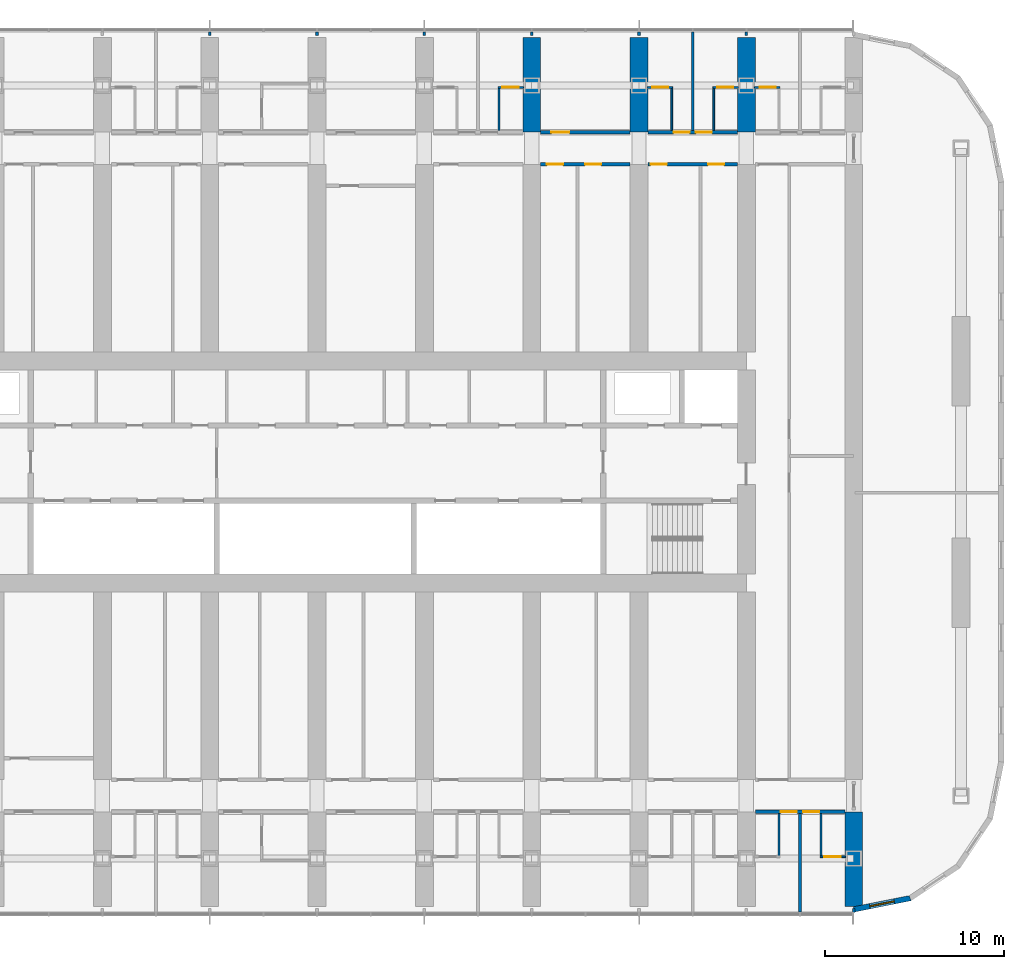
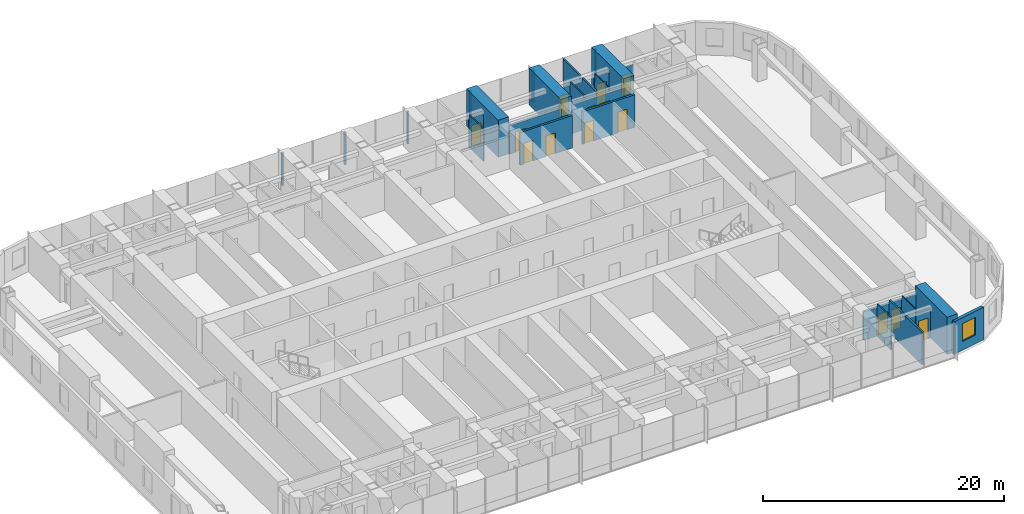
# One storey, part 17 of 24: 29 walls, 14 doors, 1 window, 15 openings.
"""IFC4 building model written with IfcOpenShell, lengths in metres."""

from ifc_helpers import new_model, si_unit, direction, frame, frame_2d, origin, place, context, subcontext, project, spatial, polyline, rectangle, outline, extrude, material, layer, layer_set, type_object, element, fill, save


model = new_model("IFC4")

# Units and contexts
model_context = context("Model", 3, precision=1e-05, world=origin(), true_north=direction((0.0, 1.0)))
body_context = subcontext(model_context, "Body", "Model", "MODEL_VIEW")
ifc_project = project(units=[si_unit("LENGTHUNIT", "METRE"), si_unit("AREAUNIT", "SQUARE_METRE"), si_unit("VOLUMEUNIT", "CUBIC_METRE"), si_unit("PLANEANGLEUNIT", "RADIAN"), si_unit("MASSUNIT", "GRAM", prefix="KILO")], contexts=[model_context])

# Site, building, storey
site_placement = place(None, origin())
site = spatial("IfcSite", under=ifc_project, at=site_placement, CompositionType="ELEMENT")
building_placement = place(site_placement, origin())
building = spatial("IfcBuilding", under=site, at=building_placement, Name="Orbita Commons", CompositionType="ELEMENT")
storey_placement = place(building_placement, frame((0.0, 0.0, 20.199951171875)))
storey = spatial("IfcBuildingStorey", under=building, at=storey_placement, Name="L04", CompositionType="ELEMENT", Elevation=20.199951171875)

# Wall, openings, doors
ifc_material_1 = material(Name="Concrete blockwork", Category="masonry")
ifc_layer_1 = layer(ifc_material_1, 0.199951171875)
ifc_layer_set_1 = layer_set([ifc_layer_1], Name="Concrete blockwork")
wall_type_1 = type_object("IfcWallType", Name="Corridor wall 200 blockwork", PredefinedType="SOLIDWALL", material=ifc_layer_set_1)
wall_1_placement = place(storey_placement, frame((66.5, 13.0, 0.0), z_axis=(0.0, 0.0, 1.0), x_axis=(1.0, 0.0, 0.0)))
wall_1 = element("IfcWall", 1, at=wall_1_placement, inside=storey, type_object=wall_type_1, Name="Corridor wall 200 blockwork L04", PredefinedType="SOLIDWALL", context=body_context, shape_type="SweptSolid", body=[
    extrude(outline(polyline([(0.0, 0.0), (5.0, 0.0), (5.0, 2.900146484375), (0.0, 2.900146484375), (0.0, 0.0)])), frame((0.0, 0.10009765625, 0.0), z_axis=(0.0, -1.0, 0.0), x_axis=(1.0, 0.0, 0.0)), (0.0, 0.0, 1.0), 0.199951171875),
])
opening_1_placement = place(wall_1_placement, frame((1.425048828125, 0.0, 0.0)))
opening_1 = element("IfcOpeningElement", 2, at=opening_1_placement, cuts=wall_1, Name="Opening D11", PredefinedType="OPENING", context=body_context, shape_type="SweptSolid", body=[
    extrude(rectangle(XDim=0.89990234375, YDim=2.10009765625, at=frame_2d((0.449951171875, 1.050048828125))), frame((0.0, 0.10986328125, 0.0), z_axis=(0.0, -1.0, 0.0), x_axis=(1.0, 0.0, 0.0)), (0.0, 0.0, 1.0), 0.219970703125),
])
opening_2_placement = place(wall_1_placement, frame((2.675048828125, 0.0, 0.0)))
opening_2 = element("IfcOpeningElement", 3, at=opening_2_placement, cuts=wall_1, Name="Opening D11", PredefinedType="OPENING", context=body_context, shape_type="SweptSolid", body=[
    extrude(rectangle(XDim=0.89990234375, YDim=2.10009765625, at=frame_2d((0.449951171875, 1.050048828125))), frame((0.0, 0.10986328125, 0.0), z_axis=(0.0, -1.0, 0.0), x_axis=(1.0, 0.0, 0.0)), (0.0, 0.0, 1.0), 0.219970703125),
])
ifc_material_2 = material(Name="Steel-faced fire door leaf", Category="steel")
door_type_1 = type_object("IfcDoorType", Name="Corridor door 20 min 900x2100", OperationType="SINGLE_SWING_LEFT", PredefinedType="DOOR", material=ifc_material_2)
door_1_placement = place(opening_1_placement, origin())
door_1 = element("IfcDoor", 4, at=door_1_placement, inside=storey, type_object=door_type_1, Name="House bedroom L04-S18 door", OperationType="SINGLE_SWING_LEFT", OverallHeight=2.10009765625, OverallWidth=0.89990234375, PredefinedType="DOOR", context=body_context, shape_type="SweptSolid", body=[
    extrude(rectangle(XDim=0.89990234375, YDim=2.10009765625, at=frame_2d((0.449951171875, 1.050048828125))), frame((0.0, 0.02490234375, 0.0), z_axis=(0.0, -1.0, 0.0), x_axis=(1.0, 0.0, 0.0)), (0.0, 0.0, 1.0), 0.050048828125),
])
fill(opening_1, door_1)
door_2_placement = place(opening_2_placement, origin())
door_2 = element("IfcDoor", 5, at=door_2_placement, inside=storey, type_object=door_type_1, Name="House bedroom L04-S19 door", OperationType="SINGLE_SWING_LEFT", OverallHeight=2.10009765625, OverallWidth=0.89990234375, PredefinedType="DOOR", context=body_context, shape_type="SweptSolid", body=[
    extrude(rectangle(XDim=0.89990234375, YDim=2.10009765625, at=frame_2d((0.449951171875, 1.050048828125))), frame((0.0, 0.02490234375, 0.0), z_axis=(0.0, -1.0, 0.0), x_axis=(1.0, 0.0, 0.0)), (0.0, 0.0, 1.0), 0.050048828125),
])
fill(opening_2, door_2)

# Wall, opening, door
wall_2_placement = place(storey_placement, frame((54.5, 51.0, 0.0), z_axis=(0.0, 0.0, 1.0), x_axis=(1.0, 0.0, 0.0)))
wall_2 = element("IfcWall", 6, at=wall_2_placement, inside=storey, type_object=wall_type_1, Name="Corridor wall 200 blockwork L04", PredefinedType="SOLIDWALL", context=body_context, shape_type="SweptSolid", body=[
    extrude(outline(polyline([(0.0, 0.0), (5.0, 0.0), (5.0, 2.900146484375), (0.0, 2.900146484375), (0.0, 0.0)])), frame((0.0, 0.10009765625, 0.0), z_axis=(0.0, -1.0, 0.0), x_axis=(1.0, 0.0, 0.0)), (0.0, 0.0, 1.0), 0.199951171875),
])
opening_3_placement = place(wall_2_placement, frame((0.60009765625, 0.0, 0.0)))
opening_3 = element("IfcOpeningElement", 7, at=opening_3_placement, cuts=wall_2, Name="Opening D06", PredefinedType="OPENING", context=body_context, shape_type="SweptSolid", body=[
    extrude(rectangle(XDim=1.0, YDim=2.10009765625, at=frame_2d((0.5, 1.050048828125))), frame((0.0, 0.10986328125, 0.0), z_axis=(0.0, -1.0, 0.0), x_axis=(1.0, 0.0, 0.0)), (0.0, 0.0, 1.0), 0.219970703125),
])
ifc_material_3 = material(Name="Steel-faced fire door leaf", Category="steel")
door_type_2 = type_object("IfcDoorType", Name="Corridor door 20 min 1000x2100", OperationType="SINGLE_SWING_LEFT", PredefinedType="DOOR", material=ifc_material_3)
door_3_placement = place(opening_3_placement, origin())
door_3 = element("IfcDoor", 8, at=door_3_placement, inside=storey, type_object=door_type_2, Name="House common room L04-N14 door", OperationType="SINGLE_SWING_LEFT", OverallHeight=2.10009765625, OverallWidth=1.0, PredefinedType="DOOR", context=body_context, shape_type="SweptSolid", body=[
    extrude(rectangle(XDim=1.0, YDim=2.10009765625, at=frame_2d((0.5, 1.050048828125))), frame((0.0, 0.02490234375, 0.0), z_axis=(0.0, -1.0, 0.0), x_axis=(1.0, 0.0, 0.0)), (0.0, 0.0, 1.0), 0.050048828125),
])
fill(opening_3, door_3)

# Wall, openings, doors
wall_3_placement = place(storey_placement, frame((60.5, 51.0, 0.0), z_axis=(0.0, 0.0, 1.0), x_axis=(1.0, 0.0, 0.0)))
wall_3 = element("IfcWall", 9, at=wall_3_placement, inside=storey, type_object=wall_type_1, Name="Corridor wall 200 blockwork L04", PredefinedType="SOLIDWALL", context=body_context, shape_type="SweptSolid", body=[
    extrude(outline(polyline([(0.0, 0.0), (5.0, 0.0), (5.0, 2.900146484375), (0.0, 2.900146484375), (0.0, 0.0)])), frame((0.0, 0.10009765625, 0.0), z_axis=(0.0, -1.0, 0.0), x_axis=(1.0, 0.0, 0.0)), (0.0, 0.0, 1.0), 0.199951171875),
])
opening_4_placement = place(wall_3_placement, frame((1.425048828125, 0.0, 0.0)))
opening_4 = element("IfcOpeningElement", 10, at=opening_4_placement, cuts=wall_3, Name="Opening D11", PredefinedType="OPENING", context=body_context, shape_type="SweptSolid", body=[
    extrude(rectangle(XDim=0.89990234375, YDim=2.10009765625, at=frame_2d((0.449951171875, 1.050048828125))), frame((0.0, 0.10986328125, 0.0), z_axis=(0.0, -1.0, 0.0), x_axis=(1.0, 0.0, 0.0)), (0.0, 0.0, 1.0), 0.219970703125),
])
opening_5_placement = place(wall_3_placement, frame((2.675048828125, 0.0, 0.0)))
opening_5 = element("IfcOpeningElement", 11, at=opening_5_placement, cuts=wall_3, Name="Opening D11", PredefinedType="OPENING", context=body_context, shape_type="SweptSolid", body=[
    extrude(rectangle(XDim=0.89990234375, YDim=2.10009765625, at=frame_2d((0.449951171875, 1.050048828125))), frame((0.0, 0.10986328125, 0.0), z_axis=(0.0, -1.0, 0.0), x_axis=(1.0, 0.0, 0.0)), (0.0, 0.0, 1.0), 0.219970703125),
])
door_4_placement = place(opening_4_placement, origin())
door_4 = element("IfcDoor", 12, at=door_4_placement, inside=storey, type_object=door_type_1, Name="House bedroom L04-N16 door", OperationType="SINGLE_SWING_LEFT", OverallHeight=2.10009765625, OverallWidth=0.89990234375, PredefinedType="DOOR", context=body_context, shape_type="SweptSolid", body=[
    extrude(rectangle(XDim=0.89990234375, YDim=2.10009765625, at=frame_2d((0.449951171875, 1.050048828125))), frame((0.0, 0.02490234375, 0.0), z_axis=(0.0, -1.0, 0.0), x_axis=(1.0, 0.0, 0.0)), (0.0, 0.0, 1.0), 0.050048828125),
])
fill(opening_4, door_4)
door_5_placement = place(opening_5_placement, origin())
door_5 = element("IfcDoor", 13, at=door_5_placement, inside=storey, type_object=door_type_1, Name="House bedroom L04-N17 door", OperationType="SINGLE_SWING_LEFT", OverallHeight=2.10009765625, OverallWidth=0.89990234375, PredefinedType="DOOR", context=body_context, shape_type="SweptSolid", body=[
    extrude(rectangle(XDim=0.89990234375, YDim=2.10009765625, at=frame_2d((0.449951171875, 1.050048828125))), frame((0.0, 0.02490234375, 0.0), z_axis=(0.0, -1.0, 0.0), x_axis=(1.0, 0.0, 0.0)), (0.0, 0.0, 1.0), 0.050048828125),
])
fill(opening_5, door_5)

ifc_material_4 = material(Name="Hollow concrete block 200", Category="concrete")
ifc_layer_2 = layer(ifc_material_4, 0.199951171875)
ifc_layer_set_2 = layer_set([ifc_layer_2], Name="Hollow concrete block 200")
wall_type_2 = type_object("IfcWallType", Name="Corridor wall 200 hollow concrete block", PredefinedType="SOLIDWALL", material=ifc_layer_set_2)
wall_4_placement = place(storey_placement, frame((54.5, 49.199951171875, 0.0), z_axis=(0.0, 0.0, 1.0), x_axis=(1.0, 0.0, 0.0)))
wall_4 = element("IfcWall", 14, at=wall_4_placement, inside=storey, type_object=wall_type_2, Name="Corridor wall 200 hollow concrete block L04", PredefinedType="SOLIDWALL", context=body_context, shape_type="SweptSolid", body=[
    extrude(rectangle(XDim=5.0, YDim=0.199951171875, at=frame_2d((2.5, 0.0))), origin(), (0.0, 0.0, 1.0), 3.300048828125),
])
opening_6_placement = place(wall_4_placement, frame((0.35009765625, 0.0, 0.0)))
opening_6 = element("IfcOpeningElement", 15, at=opening_6_placement, cuts=wall_4, Name="Opening D11", PredefinedType="OPENING", context=body_context, shape_type="SweptSolid", body=[
    extrude(rectangle(XDim=0.89990234375, YDim=2.10009765625, at=frame_2d((0.449951171875, 1.050048828125))), frame((0.0, 0.10986328125, 0.0), z_axis=(0.0, -1.0, 0.0), x_axis=(1.0, 0.0, 0.0)), (0.0, 0.0, 1.0), 0.219970703125),
])
opening_7_placement = place(wall_4_placement, frame((2.485107421875, 0.0, 0.0)))
opening_7 = element("IfcOpeningElement", 16, at=opening_7_placement, cuts=wall_4, Name="Opening D11", PredefinedType="OPENING", context=body_context, shape_type="SweptSolid", body=[
    extrude(rectangle(XDim=0.89990234375, YDim=2.10009765625, at=frame_2d((0.449951171875, 1.050048828125))), frame((0.0, 0.10986328125, 0.0), z_axis=(0.0, -1.0, 0.0), x_axis=(1.0, 0.0, 0.0)), (0.0, 0.0, 1.0), 0.219970703125),
])
door_6_placement = place(opening_6_placement, origin())
door_6 = element("IfcDoor", 17, at=door_6_placement, inside=storey, type_object=door_type_1, Name="Sprinkler valve room L04-BDN54n door", OperationType="SINGLE_SWING_LEFT", OverallHeight=2.10009765625, OverallWidth=0.89990234375, PredefinedType="DOOR", context=body_context, shape_type="SweptSolid", body=[
    extrude(rectangle(XDim=0.89990234375, YDim=2.10009765625, at=frame_2d((0.449951171875, 1.050048828125))), frame((0.0, 0.02490234375, 0.0), z_axis=(0.0, -1.0, 0.0), x_axis=(1.0, 0.0, 0.0)), (0.0, 0.0, 1.0), 0.050048828125),
])
fill(opening_6, door_6)
door_7_placement = place(opening_7_placement, origin())
door_7 = element("IfcDoor", 18, at=door_7_placement, inside=storey, type_object=door_type_1, Name="Ventilation plant room north L04-BDN54 door", OperationType="SINGLE_SWING_LEFT", OverallHeight=2.10009765625, OverallWidth=0.89990234375, PredefinedType="DOOR", context=body_context, shape_type="SweptSolid", body=[
    extrude(rectangle(XDim=0.89990234375, YDim=2.10009765625, at=frame_2d((0.449951171875, 1.050048828125))), frame((0.0, 0.02490234375, 0.0), z_axis=(0.0, -1.0, 0.0), x_axis=(1.0, 0.0, 0.0)), (0.0, 0.0, 1.0), 0.050048828125),
])
fill(opening_7, door_7)

wall_5_placement = place(storey_placement, frame((60.5, 49.199951171875, 0.0), z_axis=(0.0, 0.0, 1.0), x_axis=(1.0, 0.0, 0.0)))
wall_5 = element("IfcWall", 19, at=wall_5_placement, inside=storey, type_object=wall_type_2, Name="Corridor wall 200 hollow concrete block L04", PredefinedType="SOLIDWALL", context=body_context, shape_type="SweptSolid", body=[
    extrude(rectangle(XDim=5.0, YDim=0.199951171875, at=frame_2d((2.5, 0.0))), origin(), (0.0, 0.0, 1.0), 3.300048828125),
])
opening_8_placement = place(wall_5_placement, frame((0.14990234375, 0.0, 0.0)))
opening_8 = element("IfcOpeningElement", 20, at=opening_8_placement, cuts=wall_5, Name="Opening D11", PredefinedType="OPENING", context=body_context, shape_type="SweptSolid", body=[
    extrude(rectangle(XDim=0.89990234375, YDim=2.10009765625, at=frame_2d((0.449951171875, 1.050048828125))), frame((0.0, 0.10986328125, 0.0), z_axis=(0.0, -1.0, 0.0), x_axis=(1.0, 0.0, 0.0)), (0.0, 0.0, 1.0), 0.219970703125),
])
opening_9_placement = place(wall_5_placement, frame((3.35498046875, 0.0, 0.0)))
opening_9 = element("IfcOpeningElement", 21, at=opening_9_placement, cuts=wall_5, Name="Opening D11", PredefinedType="OPENING", context=body_context, shape_type="SweptSolid", body=[
    extrude(rectangle(XDim=0.89990234375, YDim=2.10009765625, at=frame_2d((0.449951171875, 1.050048828125))), frame((0.0, 0.10986328125, 0.0), z_axis=(0.0, -1.0, 0.0), x_axis=(1.0, 0.0, 0.0)), (0.0, 0.0, 1.0), 0.219970703125),
])
door_8_placement = place(opening_8_placement, origin())
door_8 = element("IfcDoor", 22, at=door_8_placement, inside=storey, type_object=door_type_1, Name="Electrical and data room L04-BDN60 door", OperationType="SINGLE_SWING_LEFT", OverallHeight=2.10009765625, OverallWidth=0.89990234375, PredefinedType="DOOR", context=body_context, shape_type="SweptSolid", body=[
    extrude(rectangle(XDim=0.89990234375, YDim=2.10009765625, at=frame_2d((0.449951171875, 1.050048828125))), frame((0.0, 0.02490234375, 0.0), z_axis=(0.0, -1.0, 0.0), x_axis=(1.0, 0.0, 0.0)), (0.0, 0.0, 1.0), 0.050048828125),
])
fill(opening_8, door_8)
door_9_placement = place(opening_9_placement, origin())
door_9 = element("IfcDoor", 23, at=door_9_placement, inside=storey, type_object=door_type_1, Name="Battery and UPS room L04-BDN60n door", OperationType="SINGLE_SWING_LEFT", OverallHeight=2.10009765625, OverallWidth=0.89990234375, PredefinedType="DOOR", context=body_context, shape_type="SweptSolid", body=[
    extrude(rectangle(XDim=0.89990234375, YDim=2.10009765625, at=frame_2d((0.449951171875, 1.050048828125))), frame((0.0, 0.02490234375, 0.0), z_axis=(0.0, -1.0, 0.0), x_axis=(1.0, 0.0, 0.0)), (0.0, 0.0, 1.0), 0.050048828125),
])
fill(opening_9, door_9)

# Walls
ifc_material_5 = material(Name="Concrete C50/60", Category="concrete")
ifc_layer_3 = layer(ifc_material_5, 1.0)
ifc_layer_set_3 = layer_set([ifc_layer_3], Name="Concrete C50/60")
wall_type_3 = type_object("IfcWallType", Name="Cross wall 1000 C50/60", PredefinedType="SHEAR", material=ifc_layer_set_3)
for number, where, z_axis, x_axis, name in (
    (24, (54.0, 51.0, 0.0), (0.0, 0.0, 1.0), (0.0, 1.0, 0.0), "Cross wall 10 north outer L04"),
    (25, (60.0, 51.0, 0.0), (0.0, 0.0, 1.0), (0.0, 1.0, 0.0), "Cross wall 11 north outer L04"),
    (26, (66.0, 51.0, 0.0), (0.0, 0.0, 1.0), (0.0, 1.0, 0.0), "Cross wall 12 north outer L04"),
    (27, (72.0, 7.699951171875, 0.0), (0.0, 0.0, 1.0), (0.0, 1.0, 0.0), "Cross wall 13 south outer L04"),
):
    element("IfcWall", number, at=place(storey_placement, frame(where, z_axis=z_axis, x_axis=x_axis)), inside=storey, type_object=wall_type_3, Name=name, PredefinedType="SHEAR", context=body_context, shape_type="SweptSolid", body=[
        extrude(rectangle(XDim=5.300048828125, YDim=1.0, at=frame_2d((2.64990234375, 0.0))), origin(), (0.0, 0.0, 1.0), 3.75),
    ])
ifc_material_6 = material(Name="Moisture-resistant plasterboard on steel studs", Category="steel")
ifc_layer_4 = layer(ifc_material_6, 0.10009765625)
ifc_layer_set_4 = layer_set([ifc_layer_4], Name="Moisture-resistant plasterboard on steel studs")
wall_type_4 = type_object("IfcWallType", Name="En-suite partition 100", PredefinedType="PARTITIONING", material=ifc_layer_set_4)
wall_6_placement = place(storey_placement, frame((67.824951171875, 10.550048828125, 0.0), z_axis=(0.0, 0.0, 1.0), x_axis=(0.0, 1.0, 0.0)))
element("IfcWall", 28, at=wall_6_placement, inside=storey, type_object=wall_type_4, Name="En-suite partition 100 L04", PredefinedType="PARTITIONING", context=body_context, shape_type="SweptSolid", body=[
    extrude(outline(polyline([(0.0, 0.0), (2.349853515625, 0.0), (2.35009765625, 2.900146484375), (2.302001953125, 2.900146484375), (2.300048828125, 3.300048828125), (0.052001953125, 3.300048828125), (0.050048828125, 2.900146484375), (0.0, 2.900146484375), (0.0, 0.0)])), frame((0.0, 0.050048828125, 0.0), z_axis=(0.0, -1.0, 0.0), x_axis=(1.0, 0.0, 0.0)), (0.0, 0.0, 1.0), 0.10009765625),
])

# Wall, opening, door
wall_7_placement = place(storey_placement, frame((71.550048828125, 10.5, 0.0), z_axis=(0.0, 0.0, 1.0), x_axis=(-1.0, 0.0, 0.0)))
wall_7 = element("IfcWall", 29, at=wall_7_placement, inside=storey, type_object=wall_type_4, Name="En-suite partition 100 L04", PredefinedType="PARTITIONING", context=body_context, shape_type="SweptSolid", body=[
    extrude(outline(polyline([(0.0, 0.0), (1.425048828125, 0.0), (1.425048828125, 2.900146484375), (0.0, 2.900146484375), (0.0, 0.0)])), frame((0.0, 0.050048828125, 0.0), z_axis=(0.0, -1.0, 0.0), x_axis=(1.0, 0.0, 0.0)), (0.0, 0.0, 1.0), 0.10009765625),
])
opening_10_placement = place(wall_7_placement, frame((0.28759765625, 0.0, 0.0)))
opening_10 = element("IfcOpeningElement", 30, at=opening_10_placement, cuts=wall_7, Name="Opening D09", PredefinedType="OPENING", context=body_context, shape_type="SweptSolid", body=[
    extrude(rectangle(XDim=0.89990234375, YDim=2.10009765625, at=frame_2d((0.449951171875, 1.050048828125))), frame((0.0, 0.06005859375, 0.0), z_axis=(0.0, -1.0, 0.0), x_axis=(1.0, 0.0, 0.0)), (0.0, 0.0, 1.0), 0.1201171875),
])
ifc_material_7 = material(Name="Laminated timber door leaf", Category="wood")
door_type_3 = type_object("IfcDoorType", Name="En-suite door 900x2100", OperationType="SINGLE_SWING_RIGHT", PredefinedType="DOOR", material=ifc_material_7)
door_10_placement = place(opening_10_placement, origin())
door_10 = element("IfcDoor", 31, at=door_10_placement, inside=storey, type_object=door_type_3, Name="En-suite L04-S19 door", OperationType="SINGLE_SWING_RIGHT", OverallHeight=2.10009765625, OverallWidth=0.89990234375, PredefinedType="DOOR", context=body_context, shape_type="SweptSolid", body=[
    extrude(rectangle(XDim=0.89990234375, YDim=2.10009765625, at=frame_2d((0.449951171875, 1.050048828125))), frame((0.0, 0.02490234375, 0.0), z_axis=(0.0, -1.0, 0.0), x_axis=(1.0, 0.0, 0.0)), (0.0, 0.0, 1.0), 0.050048828125),
])
fill(opening_10, door_10)

# Wall
wall_8_placement = place(storey_placement, frame((70.175048828125, 10.550048828125, 0.0), z_axis=(0.0, 0.0, 1.0), x_axis=(0.0, 1.0, 0.0)))
element("IfcWall", 32, at=wall_8_placement, inside=storey, type_object=wall_type_4, Name="En-suite partition 100 L04", PredefinedType="PARTITIONING", context=body_context, shape_type="SweptSolid", body=[
    extrude(outline(polyline([(0.0, 0.0), (2.349853515625, 0.0), (2.35009765625, 2.900146484375), (2.302001953125, 2.900146484375), (2.300048828125, 3.300048828125), (0.052001953125, 3.300048828125), (0.050048828125, 2.900146484375), (0.0, 2.900146484375), (0.0, 0.0)])), frame((0.0, 0.050048828125, 0.0), z_axis=(0.0, -1.0, 0.0), x_axis=(1.0, 0.0, 0.0)), (0.0, 0.0, 1.0), 0.10009765625),
])

# Wall, opening, door
wall_9_placement = place(storey_placement, frame((52.125, 53.5, 0.0), z_axis=(0.0, 0.0, 1.0), x_axis=(1.0, 0.0, 0.0)))
wall_9 = element("IfcWall", 33, at=wall_9_placement, inside=storey, type_object=wall_type_4, Name="En-suite partition 100 L04", PredefinedType="PARTITIONING", context=body_context, shape_type="SweptSolid", body=[
    extrude(outline(polyline([(0.0, 0.0), (1.425048828125, 0.0), (1.425048828125, 2.900146484375), (0.0, 2.900146484375), (0.0, 0.0)])), frame((0.0, 0.050048828125, 0.0), z_axis=(0.0, -1.0, 0.0), x_axis=(1.0, 0.0, 0.0)), (0.0, 0.0, 1.0), 0.10009765625),
])
opening_11_placement = place(wall_9_placement, frame((0.237548828125, 0.0, 0.0)))
opening_11 = element("IfcOpeningElement", 34, at=opening_11_placement, cuts=wall_9, Name="Opening D09", PredefinedType="OPENING", context=body_context, shape_type="SweptSolid", body=[
    extrude(rectangle(XDim=0.89990234375, YDim=2.10009765625, at=frame_2d((0.449951171875, 1.050048828125))), frame((0.0, 0.06005859375, 0.0), z_axis=(0.0, -1.0, 0.0), x_axis=(1.0, 0.0, 0.0)), (0.0, 0.0, 1.0), 0.1201171875),
])
door_11_placement = place(opening_11_placement, origin())
door_11 = element("IfcDoor", 35, at=door_11_placement, inside=storey, type_object=door_type_3, Name="En-suite L04-N13 door", OperationType="SINGLE_SWING_RIGHT", OverallHeight=2.10009765625, OverallWidth=0.89990234375, PredefinedType="DOOR", context=body_context, shape_type="SweptSolid", body=[
    extrude(rectangle(XDim=0.89990234375, YDim=2.10009765625, at=frame_2d((0.449951171875, 1.050048828125))), frame((0.0, 0.02490234375, 0.0), z_axis=(0.0, -1.0, 0.0), x_axis=(1.0, 0.0, 0.0)), (0.0, 0.0, 1.0), 0.050048828125),
])
fill(opening_11, door_11)

# Wall
wall_10_placement = place(storey_placement, frame((52.175048828125, 53.449951171875, 0.0), z_axis=(0.0, 0.0, 1.0), x_axis=(0.0, -1.0, 0.0)))
element("IfcWall", 36, at=wall_10_placement, inside=storey, type_object=wall_type_4, Name="En-suite partition 100 L04", PredefinedType="PARTITIONING", context=body_context, shape_type="SweptSolid", body=[
    extrude(outline(polyline([(0.0, 0.0), (2.349853515625, 0.0), (2.35009765625, 2.900146484375), (2.302001953125, 2.900146484375), (2.300048828125, 3.300048828125), (0.052001953125, 3.300048828125), (0.050048828125, 2.900146484375), (0.0, 2.900146484375), (0.0, 0.0)])), frame((0.0, 0.050048828125, 0.0), z_axis=(0.0, -1.0, 0.0), x_axis=(1.0, 0.0, 0.0)), (0.0, 0.0, 1.0), 0.10009765625),
])

# Wall, opening, door
wall_11_placement = place(storey_placement, frame((60.449951171875, 53.5, 0.0), z_axis=(0.0, 0.0, 1.0), x_axis=(1.0, 0.0, 0.0)))
wall_11 = element("IfcWall", 37, at=wall_11_placement, inside=storey, type_object=wall_type_4, Name="En-suite partition 100 L04", PredefinedType="PARTITIONING", context=body_context, shape_type="SweptSolid", body=[
    extrude(outline(polyline([(0.0, 0.0), (1.425048828125, 0.0), (1.425048828125, 2.900146484375), (0.0, 2.900146484375), (0.0, 0.0)])), frame((0.0, 0.050048828125, 0.0), z_axis=(0.0, -1.0, 0.0), x_axis=(1.0, 0.0, 0.0)), (0.0, 0.0, 1.0), 0.10009765625),
])
opening_12_placement = place(wall_11_placement, frame((0.28759765625, 0.0, 0.0)))
opening_12 = element("IfcOpeningElement", 38, at=opening_12_placement, cuts=wall_11, Name="Opening D09", PredefinedType="OPENING", context=body_context, shape_type="SweptSolid", body=[
    extrude(rectangle(XDim=0.89990234375, YDim=2.10009765625, at=frame_2d((0.449951171875, 1.050048828125))), frame((0.0, 0.06005859375, 0.0), z_axis=(0.0, -1.0, 0.0), x_axis=(1.0, 0.0, 0.0)), (0.0, 0.0, 1.0), 0.1201171875),
])
door_12_placement = place(opening_12_placement, origin())
door_12 = element("IfcDoor", 39, at=door_12_placement, inside=storey, type_object=door_type_3, Name="En-suite L04-N16 door", OperationType="SINGLE_SWING_RIGHT", OverallHeight=2.10009765625, OverallWidth=0.89990234375, PredefinedType="DOOR", context=body_context, shape_type="SweptSolid", body=[
    extrude(rectangle(XDim=0.89990234375, YDim=2.10009765625, at=frame_2d((0.449951171875, 1.050048828125))), frame((0.0, 0.02490234375, 0.0), z_axis=(0.0, -1.0, 0.0), x_axis=(1.0, 0.0, 0.0)), (0.0, 0.0, 1.0), 0.050048828125),
])
fill(opening_12, door_12)

# Wall
wall_12_placement = place(storey_placement, frame((61.824951171875, 53.449951171875, 0.0), z_axis=(0.0, 0.0, 1.0), x_axis=(0.0, -1.0, 0.0)))
element("IfcWall", 40, at=wall_12_placement, inside=storey, type_object=wall_type_4, Name="En-suite partition 100 L04", PredefinedType="PARTITIONING", context=body_context, shape_type="SweptSolid", body=[
    extrude(outline(polyline([(0.0, 0.0), (2.349853515625, 0.0), (2.35009765625, 2.900146484375), (2.302001953125, 2.900146484375), (2.300048828125, 3.300048828125), (0.052001953125, 3.300048828125), (0.050048828125, 2.900146484375), (0.0, 2.900146484375), (0.0, 0.0)])), frame((0.0, 0.050048828125, 0.0), z_axis=(0.0, -1.0, 0.0), x_axis=(1.0, 0.0, 0.0)), (0.0, 0.0, 1.0), 0.10009765625),
])

# Wall, opening, door
wall_13_placement = place(storey_placement, frame((64.125, 53.5, 0.0), z_axis=(0.0, 0.0, 1.0), x_axis=(1.0, 0.0, 0.0)))
wall_13 = element("IfcWall", 41, at=wall_13_placement, inside=storey, type_object=wall_type_4, Name="En-suite partition 100 L04", PredefinedType="PARTITIONING", context=body_context, shape_type="SweptSolid", body=[
    extrude(outline(polyline([(0.0, 0.0), (1.425048828125, 0.0), (1.425048828125, 2.900146484375), (0.0, 2.900146484375), (0.0, 0.0)])), frame((0.0, 0.050048828125, 0.0), z_axis=(0.0, -1.0, 0.0), x_axis=(1.0, 0.0, 0.0)), (0.0, 0.0, 1.0), 0.10009765625),
])
opening_13_placement = place(wall_13_placement, frame((0.237548828125, 0.0, 0.0)))
opening_13 = element("IfcOpeningElement", 42, at=opening_13_placement, cuts=wall_13, Name="Opening D09", PredefinedType="OPENING", context=body_context, shape_type="SweptSolid", body=[
    extrude(rectangle(XDim=0.89990234375, YDim=2.10009765625, at=frame_2d((0.449951171875, 1.050048828125))), frame((0.0, 0.06005859375, 0.0), z_axis=(0.0, -1.0, 0.0), x_axis=(1.0, 0.0, 0.0)), (0.0, 0.0, 1.0), 0.1201171875),
])
door_13_placement = place(opening_13_placement, origin())
door_13 = element("IfcDoor", 43, at=door_13_placement, inside=storey, type_object=door_type_3, Name="En-suite L04-N17 door", OperationType="SINGLE_SWING_RIGHT", OverallHeight=2.10009765625, OverallWidth=0.89990234375, PredefinedType="DOOR", context=body_context, shape_type="SweptSolid", body=[
    extrude(rectangle(XDim=0.89990234375, YDim=2.10009765625, at=frame_2d((0.449951171875, 1.050048828125))), frame((0.0, 0.02490234375, 0.0), z_axis=(0.0, -1.0, 0.0), x_axis=(1.0, 0.0, 0.0)), (0.0, 0.0, 1.0), 0.050048828125),
])
fill(opening_13, door_13)

# Wall
wall_14_placement = place(storey_placement, frame((64.175048828125, 53.449951171875, 0.0), z_axis=(0.0, 0.0, 1.0), x_axis=(0.0, -1.0, 0.0)))
element("IfcWall", 44, at=wall_14_placement, inside=storey, type_object=wall_type_4, Name="En-suite partition 100 L04", PredefinedType="PARTITIONING", context=body_context, shape_type="SweptSolid", body=[
    extrude(outline(polyline([(0.0, 0.0), (2.349853515625, 0.0), (2.35009765625, 2.900146484375), (2.302001953125, 2.900146484375), (2.300048828125, 3.300048828125), (0.052001953125, 3.300048828125), (0.050048828125, 2.900146484375), (0.0, 2.900146484375), (0.0, 0.0)])), frame((0.0, 0.050048828125, 0.0), z_axis=(0.0, -1.0, 0.0), x_axis=(1.0, 0.0, 0.0)), (0.0, 0.0, 1.0), 0.10009765625),
])

# Wall, opening, door
wall_15_placement = place(storey_placement, frame((66.449951171875, 53.5, 0.0), z_axis=(0.0, 0.0, 1.0), x_axis=(1.0, 0.0, 0.0)))
wall_15 = element("IfcWall", 45, at=wall_15_placement, inside=storey, type_object=wall_type_4, Name="En-suite partition 100 L04", PredefinedType="PARTITIONING", context=body_context, shape_type="SweptSolid", body=[
    extrude(outline(polyline([(0.0, 0.0), (1.425048828125, 0.0), (1.425048828125, 2.900146484375), (0.0, 2.900146484375), (0.0, 0.0)])), frame((0.0, 0.050048828125, 0.0), z_axis=(0.0, -1.0, 0.0), x_axis=(1.0, 0.0, 0.0)), (0.0, 0.0, 1.0), 0.10009765625),
])
opening_14_placement = place(wall_15_placement, frame((0.28759765625, 0.0, 0.0)))
opening_14 = element("IfcOpeningElement", 46, at=opening_14_placement, cuts=wall_15, Name="Opening D09", PredefinedType="OPENING", context=body_context, shape_type="SweptSolid", body=[
    extrude(rectangle(XDim=0.89990234375, YDim=2.10009765625, at=frame_2d((0.449951171875, 1.050048828125))), frame((0.0, 0.06005859375, 0.0), z_axis=(0.0, -1.0, 0.0), x_axis=(1.0, 0.0, 0.0)), (0.0, 0.0, 1.0), 0.1201171875),
])
door_14_placement = place(opening_14_placement, origin())
door_14 = element("IfcDoor", 47, at=door_14_placement, inside=storey, type_object=door_type_3, Name="En-suite L04-N18 door", OperationType="SINGLE_SWING_RIGHT", OverallHeight=2.10009765625, OverallWidth=0.89990234375, PredefinedType="DOOR", context=body_context, shape_type="SweptSolid", body=[
    extrude(rectangle(XDim=0.89990234375, YDim=2.10009765625, at=frame_2d((0.449951171875, 1.050048828125))), frame((0.0, 0.02490234375, 0.0), z_axis=(0.0, -1.0, 0.0), x_axis=(1.0, 0.0, 0.0)), (0.0, 0.0, 1.0), 0.050048828125),
])
fill(opening_14, door_14)

# Walls
ifc_material_8 = material(Name="Gypsum plasterboard on steel studs", Category="steel")
ifc_layer_5 = layer(ifc_material_8, 0.14990234375)
ifc_layer_set_5 = layer_set([ifc_layer_5], Name="Gypsum plasterboard on steel studs")
wall_type_5 = type_object("IfcWallType", Name="Partition 150 plasterboard", PredefinedType="PARTITIONING", material=ifc_layer_set_5)
for number, where, z_axis, x_axis, name in (
    (48, (36.0, 56.39990234375, 0.0), (0.0, 0.0, 1.0), (0.0, 1.0, 0.0), "Partition 150 plasterboard L04"),
    (49, (42.0, 56.39990234375, 0.0), (0.0, 0.0, 1.0), (0.0, 1.0, 0.0), "Partition 150 plasterboard L04"),
    (50, (48.0, 56.39990234375, 0.0), (0.0, 0.0, 1.0), (0.0, 1.0, 0.0), "Partition 150 plasterboard L04"),
    (51, (54.0, 56.39990234375, 0.0), (0.0, 0.0, 1.0), (0.0, 1.0, 0.0), "Partition 150 plasterboard L04"),
    (52, (60.0, 56.39990234375, 0.0), (0.0, 0.0, 1.0), (0.0, 1.0, 0.0), "Partition 150 plasterboard L04"),
    (53, (66.0, 56.39990234375, 0.0), (0.0, 0.0, 1.0), (0.0, 1.0, 0.0), "Partition 150 plasterboard L04"),
):
    element("IfcWall", number, at=place(storey_placement, frame(where, z_axis=z_axis, x_axis=x_axis)), inside=storey, type_object=wall_type_5, Name=name, PredefinedType="PARTITIONING", context=body_context, shape_type="SweptSolid", body=[
        extrude(rectangle(XDim=0.190185546875, YDim=0.14990234375, at=frame_2d((0.09521484375, 0.0))), origin(), (0.0, 0.0, 1.0), 3.300048828125),
    ])
wall_16_placement = place(storey_placement, frame((72.0, 7.60009765625, 0.0), z_axis=(0.0, 0.0, 1.0), x_axis=(0.0, -1.0, 0.0)))
element("IfcWall", 54, at=wall_16_placement, inside=storey, type_object=wall_type_5, Name="Partition 150 plasterboard L04", PredefinedType="PARTITIONING", context=body_context, shape_type="SweptSolid", body=[
    extrude(rectangle(XDim=0.22021484375, YDim=0.14990234375, at=frame_2d((0.110107421875, 0.0))), origin(), (0.0, 0.0, 1.0), 3.300048828125),
])
ifc_material_9 = material(Name="Gypsum plasterboard on steel studs", Category="steel")
ifc_layer_6 = layer(ifc_material_9, 0.14990234375)
ifc_layer_set_6 = layer_set([ifc_layer_6], Name="Gypsum plasterboard on steel studs")
wall_type_6 = type_object("IfcWallType", Name="Party wall 150 plasterboard", PredefinedType="PARTITIONING", material=ifc_layer_set_6)
for number, where, z_axis, x_axis, name in (
    (55, (69.0, 7.409912109375, 0.0), (0.0, 0.0, 1.0), (0.0, 1.0, 0.0), "Party wall 150 plasterboard L04"),
    (56, (63.0, 56.590087890625, 0.0), (0.0, 0.0, 1.0), (0.0, -1.0, 0.0), "Party wall 150 plasterboard L04"),
):
    element("IfcWall", number, at=place(storey_placement, frame(where, z_axis=z_axis, x_axis=x_axis)), inside=storey, type_object=wall_type_6, Name=name, PredefinedType="PARTITIONING", context=body_context, shape_type="SweptSolid", body=[
        extrude(outline(polyline([(0.0, 0.0), (5.489990234375, 0.0), (5.489990234375, 2.900146484375), (5.44189453125, 2.900146484375), (5.43994140625, 3.300048828125), (3.19189453125, 3.300048828125), (3.18994140625, 2.900146484375), (2.7919921875, 2.900146484375), (2.7900390625, 3.300048828125), (0.0, 3.300048828125), (0.0, 0.0)])), frame((0.0, 0.074951171875, 0.0), z_axis=(0.0, -1.0, 0.0), x_axis=(1.0, 0.0, 0.0)), (0.0, 0.0, 1.0), 0.14990234375),
    ])

# Wall, opening, window
ifc_material_10 = material(Name="Precast concrete C40/50, white board-marked finish", Category="concrete")
ifc_layer_7 = layer(ifc_material_10, 0.300048828125)
ifc_layer_set_7 = layer_set([ifc_layer_7], Name="Precast concrete C40/50, white board-marked finish")
wall_type_7 = type_object("IfcWallType", Name="Precast concrete end shield 300", PredefinedType="SOLIDWALL", material=ifc_layer_set_7)
wall_17_placement = place(storey_placement, frame((72.0, 7.550048828125, 0.0), z_axis=(0.0, 0.0, 1.0), x_axis=(0.980787251524, 0.195080412259, 0.0)))
wall_17 = element("IfcWall", 57, at=wall_17_placement, inside=storey, type_object=wall_type_7, Name="End shield SE chord 1 L04", PredefinedType="SOLIDWALL", context=body_context, shape_type="SweptSolid", body=[
    extrude(outline(polyline([(-0.02978515625, -0.14990234375), (3.24853515625, -0.14990234375), (3.18896484375, 0.14990234375), (0.02978515625, 0.14990234375), (-0.02978515625, -0.14990234375)])), origin(), (0.0, 0.0, 1.0), 3.300048828125),
])
opening_15_placement = place(wall_17_placement, frame((0.909423828125, 0.0, 0.89990234375)))
opening_15 = element("IfcOpeningElement", 58, at=opening_15_placement, cuts=wall_17, Name="Opening W02", PredefinedType="OPENING", context=body_context, shape_type="SweptSolid", body=[
    extrude(rectangle(XDim=1.39990234375, YDim=1.800048828125, at=frame_2d((0.699951171875, 0.89990234375))), frame((0.0, 0.159912109375, 0.0), z_axis=(0.0, -1.0, 0.0), x_axis=(1.0, 0.0, 0.0)), (0.0, 0.0, 1.0), 0.320068359375),
])
ifc_material_11 = material(Name="Aluminium frame, clear double glazing", Category="aluminium")
window_type = type_object("IfcWindowType", Name="Deep-set window 1400x1800", PartitioningType="SINGLE_PANEL", PredefinedType="WINDOW", material=ifc_material_11)
window_placement = place(opening_15_placement, origin())
window = element("IfcWindow", 59, at=window_placement, inside=storey, type_object=window_type, Name="Window L04-SE0", OverallHeight=1.800048828125, OverallWidth=1.39990234375, PartitioningType="SINGLE_PANEL", PredefinedType="WINDOW", context=body_context, shape_type="SweptSolid", body=[
    extrude(rectangle(XDim=1.39990234375, YDim=1.800048828125, at=frame_2d((0.699951171875, 0.89990234375))), frame((0.0, 0.030029296875, 0.0), z_axis=(0.0, -1.0, 0.0), x_axis=(1.0, 0.0, 0.0)), (0.0, 0.0, 1.0), 0.06005859375),
])
fill(opening_15, window)

save(model, "model.ifc")
